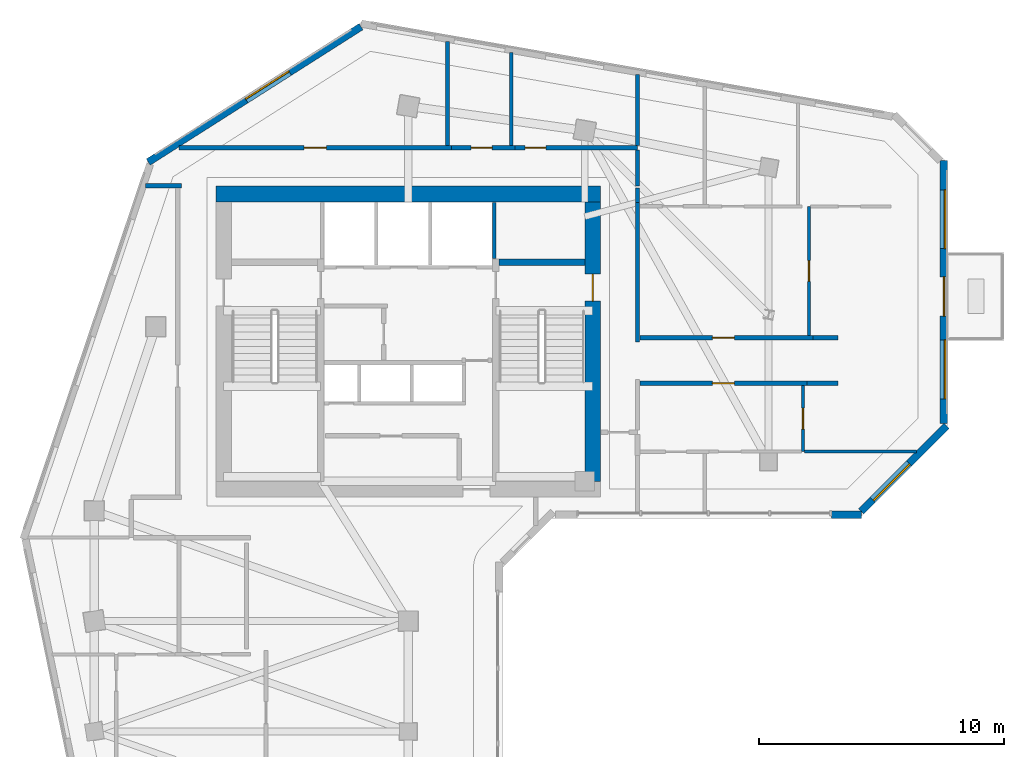
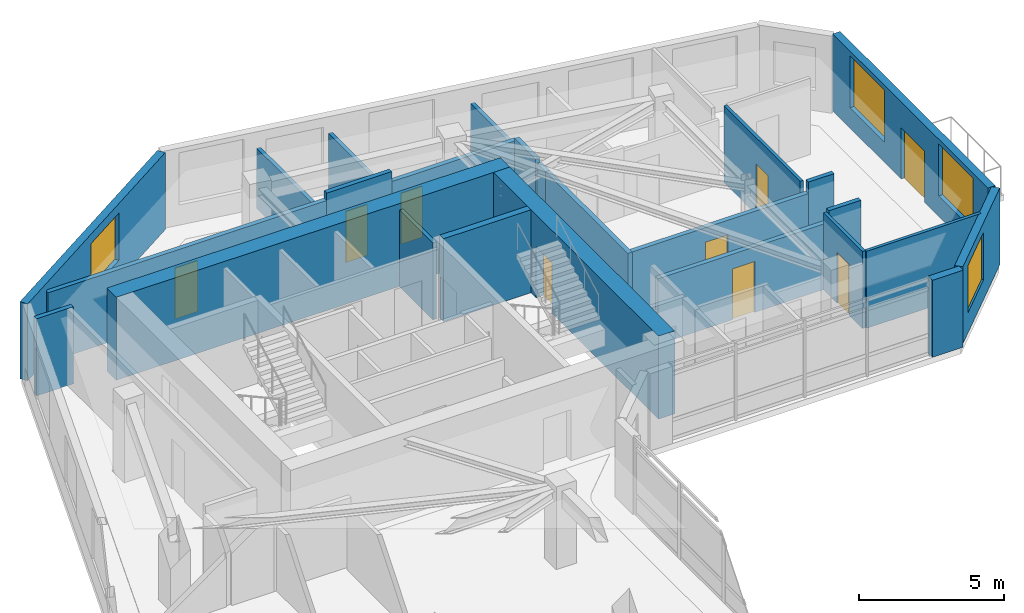
# One storey, part 6 of 10: 25 walls, 9 doors, 4 windows, 13 openings.
"""IFC4 building model written with IfcOpenShell, lengths in metres."""

from ifc_helpers import new_model, si_unit, direction, frame, frame_2d, origin, place, context, subcontext, project, spatial, rectangle, extrude, source, transform, mapped, material, layer, layer_set, type_object, element, fill, save


model = new_model("IFC4")

# Units and contexts
model_context = context("Model", 3, precision=1e-05, world=origin(), true_north=direction((0.0, 1.0)))
body_context = subcontext(model_context, "Body", "Model", "MODEL_VIEW")
ifc_project = project(units=[si_unit("LENGTHUNIT", "METRE"), si_unit("AREAUNIT", "SQUARE_METRE"), si_unit("VOLUMEUNIT", "CUBIC_METRE"), si_unit("PLANEANGLEUNIT", "RADIAN"), si_unit("MASSUNIT", "GRAM", prefix="KILO")], contexts=[model_context])

# Site, building, storey
site_placement = place(None, origin())
site = spatial("IfcSite", under=ifc_project, at=site_placement, CompositionType="ELEMENT")
building_placement = place(site_placement, origin())
building = spatial("IfcBuilding", under=site, at=building_placement, Name="Calvemar Wedge Station Tower", CompositionType="ELEMENT")
storey_placement = place(building_placement, frame((0.0, 0.0, 221.89990234375)))
storey = spatial("IfcBuildingStorey", under=building, at=storey_placement, Name="L56", CompositionType="ELEMENT", Elevation=221.89990234375)

# Walls
ifc_material_1 = material(Name="Concrete C50", Category="concrete")
ifc_layer_1 = layer(ifc_material_1, 0.260009765625)
ifc_layer_set_1 = layer_set([ifc_layer_1], Name="Concrete C50")
wall_type_1 = type_object("IfcWallType", Name="SW-CORE-260", PredefinedType="SHEAR", material=ifc_layer_set_1)
wall_1_placement = place(storey_placement, frame((27.5, 43.1298828125, 0.0), z_axis=(0.0, 0.0, 1.0), x_axis=(1.0, 0.0, 0.0)))
element("IfcWall", 1, at=wall_1_placement, inside=storey, type_object=wall_type_1, Name="Storey L56 Core Shear Wall STC2-N", PredefinedType="SHEAR", context=body_context, shape_type="SweptSolid", body=[
    extrude(rectangle(XDim=3.5, YDim=0.260009765625, at=frame_2d((1.75, 0.0))), origin(), (0.0, 0.0, 1.0), 3.5),
])
ifc_material_2 = material(Name="Concrete C60", Category="concrete")
ifc_layer_2 = layer(ifc_material_2, 0.64990234375)
ifc_layer_set_2 = layer_set([ifc_layer_2], Name="Concrete C60")
wall_type_2 = type_object("IfcWallType", Name="SW-CORE-650", PredefinedType="SHEAR", material=ifc_layer_set_2)
wall_2_placement = place(storey_placement, frame((15.949951171875, 45.925048828125, 0.0), z_axis=(0.0, 0.0, 1.0), x_axis=(1.0, 0.0, 0.0)))
element("IfcWall", 2, at=wall_2_placement, inside=storey, type_object=wall_type_2, Name="Storey L56 Core Shear Wall N", PredefinedType="SHEAR", context=body_context, shape_type="SweptSolid", body=[
    extrude(rectangle(XDim=15.699951171875, YDim=0.64990234375, at=frame_2d((7.85009765625, 0.0))), origin(), (0.0, 0.0, 1.0), 3.5),
])

# Wall, opening, door
wall_3_placement = place(storey_placement, frame((31.324951171875, 34.199951171875, 0.0), z_axis=(0.0, 0.0, 1.0), x_axis=(0.0, 1.0, 0.0)))
wall_3 = element("IfcWall", 3, at=wall_3_placement, inside=storey, type_object=wall_type_2, Name="Storey L56 Core Shear Wall E", PredefinedType="SHEAR", context=body_context, shape_type="SweptSolid", body=[
    extrude(rectangle(XDim=11.400146484375, YDim=0.64990234375, at=frame_2d((5.7001953125, 0.0))), origin(), (0.0, 0.0, 1.0), 3.5),
])
shared_shape_1 = source(origin(), body_context, "Body", "SweptSolid", [
    extrude(rectangle(XDim=1.10009765625, YDim=2.14990234375, at=frame_2d((0.550048828125, 1.074951171875))), frame((0.0, 0.3349609375, 0.0), z_axis=(0.0, -1.0, 0.0), x_axis=(1.0, 0.0, 0.0)), (0.0, 0.0, 1.0), 0.669921875),
])
opening_1_placement = place(wall_3_placement, frame((7.35009765625, 0.0, 0.0)))
opening_1 = element("IfcOpeningElement", 4, at=opening_1_placement, cuts=wall_3, Name="Opening FD-90", PredefinedType="OPENING", context=body_context, shape_type="MappedRepresentation", body=[
    mapped(shared_shape_1, transform((0.0, 0.0, 0.0), scale=1.0)),
])
ifc_material_3 = material(Name="Galvanized fire-rated steel door leaf P-90", Category="steel")
door_type_1 = type_object("IfcDoorType", Name="DR-FD90-1100", OperationType="NOTDEFINED", PredefinedType="DOOR", material=ifc_material_3)
shared_shape_2 = source(origin(), body_context, "Body", "SweptSolid", [
    extrude(rectangle(XDim=1.10009765625, YDim=2.14990234375, at=frame_2d((0.550048828125, 1.074951171875))), frame((0.0, 0.02490234375, 0.0), z_axis=(0.0, -1.0, 0.0), x_axis=(1.0, 0.0, 0.0)), (0.0, 0.0, 1.0), 0.050048828125),
])
door_1_placement = place(opening_1_placement, origin())
door_1 = element("IfcDoor", 5, at=door_1_placement, inside=storey, type_object=door_type_1, Name="L56 East Corridor to Exit Stair ST-C2 Door", OperationType="SINGLE_SWING_RIGHT", OverallHeight=2.14990234375, OverallWidth=1.10009765625, PredefinedType="DOOR", context=body_context, shape_type="MappedRepresentation", body=[
    mapped(shared_shape_2, transform((0.0, 0.0, 0.0), scale=1.0)),
])
fill(opening_1, door_1)

# Wall
ifc_material_4 = material(Name="Double-stud fire-rated corridor partition")
ifc_layer_3 = layer(ifc_material_4, 0.179931640625)
ifc_layer_set_3 = layer_set([ifc_layer_3], Name="Double-stud fire-rated corridor partition")
wall_type_3 = type_object("IfcWallType", Name="W-CORR-180", PredefinedType="PARTITIONING", material=ifc_layer_set_3)
wall_4_placement = place(storey_placement, frame((14.56005859375, 46.25, 0.0), z_axis=(0.0, 0.0, 1.0), x_axis=(-1.0, 0.0, 0.0)))
element("IfcWall", 6, at=wall_4_placement, inside=storey, type_object=wall_type_3, Name="Storey L56 Interior Partition WL-L56-012", PredefinedType="PARTITIONING", context=body_context, shape_type="SweptSolid", body=[
    extrude(rectangle(XDim=1.46875, YDim=0.179931640625, at=frame_2d((0.734375, 0.0))), origin(), (0.0, 0.0, 1.0), 3.25),
])

# Wall, opening, door
wall_5_placement = place(storey_placement, frame((14.45263671875, 47.800048828125, 0.0), z_axis=(0.0, 0.0, 1.0), x_axis=(1.0, 0.0, 0.0)))
wall_5 = element("IfcWall", 7, at=wall_5_placement, inside=storey, type_object=wall_type_3, Name="Storey L56 Interior Partition WL-L56-013", PredefinedType="PARTITIONING", context=body_context, shape_type="SweptSolid", body=[
    extrude(rectangle(XDim=11.107421875, YDim=0.179931640625, at=frame_2d((5.5537109375, 0.0))), origin(), (0.0, 0.0, 1.0), 2.93408203125),
])
shared_shape_3 = source(origin(), body_context, "Body", "SweptSolid", [
    extrude(rectangle(XDim=0.89990234375, YDim=2.14990234375, at=frame_2d((0.449951171875, 1.074951171875))), frame((0.0, 0.10009765625, 0.0), z_axis=(0.0, -1.0, 0.0), x_axis=(1.0, 0.0, 0.0)), (0.0, 0.0, 1.0), 0.199951171875),
])
opening_2_placement = place(wall_5_placement, frame((5.103759765625, 0.0, 0.0)))
opening_2 = element("IfcOpeningElement", 8, at=opening_2_placement, cuts=wall_5, Name="Opening D-01", PredefinedType="OPENING", context=body_context, shape_type="MappedRepresentation", body=[
    mapped(shared_shape_3, transform((0.0, 0.0, 0.0), scale=1.0)),
])
ifc_material_5 = material(Name="Architectural hardwood acoustic swing door", Category="wood")
door_type_2 = type_object("IfcDoorType", Name="DR-INT-900", OperationType="NOTDEFINED", PredefinedType="DOOR", material=ifc_material_5)
shared_shape_4 = source(origin(), body_context, "Body", "SweptSolid", [
    extrude(rectangle(XDim=0.89990234375, YDim=2.14990234375, at=frame_2d((0.449951171875, 1.074951171875))), frame((0.0, 0.02490234375, 0.0), z_axis=(0.0, -1.0, 0.0), x_axis=(1.0, 0.0, 0.0)), (0.0, 0.0, 1.0), 0.050048828125),
])
door_2_placement = place(opening_2_placement, origin())
door_2 = element("IfcDoor", 9, at=door_2_placement, inside=storey, type_object=door_type_2, Name="L56 Library Lounge Door", OperationType="SINGLE_SWING_RIGHT", OverallHeight=2.14990234375, OverallWidth=0.89990234375, PredefinedType="DOOR", context=body_context, shape_type="MappedRepresentation", body=[
    mapped(shared_shape_4, transform((0.0, 0.0, 0.0), scale=1.0)),
])
fill(opening_2, door_2)

wall_6_placement = place(storey_placement, frame((25.56201171875, 47.800048828125, 0.0), z_axis=(0.0, 0.0, 1.0), x_axis=(1.0, 0.0, 0.0)))
wall_6 = element("IfcWall", 10, at=wall_6_placement, inside=storey, type_object=wall_type_3, Name="Storey L56 Interior Partition WL-L56-014", PredefinedType="PARTITIONING", context=body_context, shape_type="SweptSolid", body=[
    extrude(rectangle(XDim=2.597900390625, YDim=0.179931640625, at=frame_2d((1.298828125, 0.0))), origin(), (0.0, 0.0, 1.0), 3.25),
])
shared_shape_5 = source(origin(), body_context, "Body", "SweptSolid", [
    extrude(rectangle(XDim=0.85009765625, YDim=2.14990234375, at=frame_2d((0.425048828125, 1.074951171875))), frame((0.0, 0.10009765625, 0.0), z_axis=(0.0, -1.0, 0.0), x_axis=(1.0, 0.0, 0.0)), (0.0, 0.0, 1.0), 0.199951171875),
])
opening_3_placement = place(wall_6_placement, frame((0.80810546875, 0.0, 0.0)))
opening_3 = element("IfcOpeningElement", 11, at=opening_3_placement, cuts=wall_6, Name="Opening D-02", PredefinedType="OPENING", context=body_context, shape_type="MappedRepresentation", body=[
    mapped(shared_shape_5, transform((0.0, 0.0, 0.0), scale=1.0)),
])
ifc_material_6 = material(Name="Moisture-sealed bathroom hardwood swing door", Category="wood")
door_type_3 = type_object("IfcDoorType", Name="DR-WET-850", OperationType="NOTDEFINED", PredefinedType="DOOR", material=ifc_material_6)
shared_shape_6 = source(origin(), body_context, "Body", "SweptSolid", [
    extrude(rectangle(XDim=0.85009765625, YDim=2.14990234375, at=frame_2d((0.425048828125, 1.074951171875))), frame((0.0, 0.02490234375, 0.0), z_axis=(0.0, -1.0, 0.0), x_axis=(1.0, 0.0, 0.0)), (0.0, 0.0, 1.0), 0.050048828125),
])
door_3_placement = place(opening_3_placement, origin())
door_3 = element("IfcDoor", 12, at=door_3_placement, inside=storey, type_object=door_type_3, Name="L56 Accessible WC Door", OperationType="SINGLE_SWING_LEFT", OverallHeight=2.14990234375, OverallWidth=0.85009765625, PredefinedType="DOOR", context=body_context, shape_type="MappedRepresentation", body=[
    mapped(shared_shape_6, transform((0.0, 0.0, 0.0), scale=1.0)),
])
fill(opening_3, door_3)

wall_7_placement = place(storey_placement, frame((28.162109375, 47.800048828125, 0.0), z_axis=(0.0, 0.0, 1.0), x_axis=(1.0, 0.0, 0.0)))
wall_7 = element("IfcWall", 13, at=wall_7_placement, inside=storey, type_object=wall_type_3, Name="Storey L56 Interior Partition WL-L56-015", PredefinedType="PARTITIONING", context=body_context, shape_type="SweptSolid", body=[
    extrude(rectangle(XDim=4.98779296875, YDim=0.179931640625, at=frame_2d((2.493896484375, 0.0))), origin(), (0.0, 0.0, 1.0), 2.822021484375),
])
opening_4_placement = place(wall_7_placement, frame((0.4033203125, 0.0, 0.0)))
opening_4 = element("IfcOpeningElement", 14, at=opening_4_placement, cuts=wall_7, Name="Opening D-02", PredefinedType="OPENING", context=body_context, shape_type="MappedRepresentation", body=[
    mapped(shared_shape_5, transform((0.0, 0.0, 0.0), scale=1.0)),
])
door_4_placement = place(opening_4_placement, origin())
door_4 = element("IfcDoor", 15, at=door_4_placement, inside=storey, type_object=door_type_3, Name="L56 Storage Room Door", OperationType="SINGLE_SWING_RIGHT", OverallHeight=2.14990234375, OverallWidth=0.85009765625, PredefinedType="DOOR", context=body_context, shape_type="MappedRepresentation", body=[
    mapped(shared_shape_6, transform((0.0, 0.0, 0.0), scale=1.0)),
])
fill(opening_4, door_4)

# Walls
wall_8_placement = place(storey_placement, frame((33.14990234375, 47.7060546875, 0.0), z_axis=(0.0, 0.0, 1.0), x_axis=(0.0, -1.0, 0.0)))
element("IfcWall", 16, at=wall_8_placement, inside=storey, type_object=wall_type_3, Name="Storey L56 Interior Partition WL-L56-016", PredefinedType="PARTITIONING", context=body_context, shape_type="SweptSolid", body=[
    extrude(rectangle(XDim=1.4560546875, YDim=0.179931640625, at=frame_2d((0.72802734375, 0.0))), origin(), (0.0, 0.0, 1.0), 2.93408203125),
])
wall_9_placement = place(storey_placement, frame((33.14990234375, 45.576904296875, 0.0), z_axis=(0.0, 0.0, 1.0), x_axis=(0.0, -1.0, 0.0)))
element("IfcWall", 17, at=wall_9_placement, inside=storey, type_object=wall_type_3, Name="Storey L56 Interior Partition WL-L56-018", PredefinedType="PARTITIONING", context=body_context, shape_type="SweptSolid", body=[
    extrude(rectangle(XDim=5.68701171875, YDim=0.179931640625, at=frame_2d((2.843505859375, 0.0))), origin(), (0.0, 0.0, 1.0), 2.822021484375),
])
wall_10_placement = place(storey_placement, frame((33.14990234375, 46.156005859375, 0.0), z_axis=(0.0, 0.0, 1.0), x_axis=(0.0, -1.0, 0.0)))
element("IfcWall", 18, at=wall_10_placement, inside=storey, type_object=wall_type_3, Name="Storey L56 Interior Partition WL-L56-019", PredefinedType="PARTITIONING", context=body_context, shape_type="SweptSolid", body=[
    extrude(rectangle(XDim=0.576904296875, YDim=0.179931640625, at=frame_2d((0.28857421875, 0.0))), origin(), (0.0, 0.0, 1.0), 2.822021484375),
])

# Wall, opening, door
wall_11_placement = place(storey_placement, frame((33.243896484375, 40.050048828125, 0.0), z_axis=(0.0, 0.0, 1.0), x_axis=(1.0, 0.0, 0.0)))
wall_11 = element("IfcWall", 19, at=wall_11_placement, inside=storey, type_object=wall_type_3, Name="Storey L56 Interior Partition WL-L56-025", PredefinedType="PARTITIONING", context=body_context, shape_type="SweptSolid", body=[
    extrude(rectangle(XDim=7.06201171875, YDim=0.179931640625, at=frame_2d((3.531005859375, 0.0))), origin(), (0.0, 0.0, 1.0), 2.76611328125),
])
opening_5_placement = place(wall_11_placement, frame((2.959228515625, 0.0, 0.0)))
opening_5 = element("IfcOpeningElement", 20, at=opening_5_placement, cuts=wall_11, Name="Opening FD-60", PredefinedType="OPENING", context=body_context, shape_type="MappedRepresentation", body=[
    mapped(shared_shape_3, transform((0.0, 0.0, 0.0), scale=1.0)),
])
ifc_material_7 = material(Name="Fire-rated acoustic timber-core entrance door EI 60", Category="wood")
door_type_4 = type_object("IfcDoorType", Name="DR-FD60-900", OperationType="NOTDEFINED", PredefinedType="DOOR", material=ifc_material_7)
shared_shape_7 = source(origin(), body_context, "Body", "SweptSolid", [
    extrude(rectangle(XDim=0.89990234375, YDim=2.14990234375, at=frame_2d((0.449951171875, 1.074951171875))), frame((0.0, 0.02490234375, 0.0), z_axis=(0.0, -1.0, 0.0), x_axis=(1.0, 0.0, 0.0)), (0.0, 0.0, 1.0), 0.050048828125),
])
door_5_placement = place(opening_5_placement, origin())
door_5 = element("IfcDoor", 21, at=door_5_placement, inside=storey, type_object=door_type_4, Name="L56 Living Dining Door", OperationType="SINGLE_SWING_RIGHT", OverallHeight=2.14990234375, OverallWidth=0.89990234375, PredefinedType="DOOR", context=body_context, shape_type="MappedRepresentation", body=[
    mapped(shared_shape_7, transform((0.0, 0.0, 0.0), scale=1.0)),
])
fill(opening_5, door_5)

# Wall
wall_12_placement = place(storey_placement, frame((40.30810546875, 40.050048828125, 0.0), z_axis=(0.0, 0.0, 1.0), x_axis=(1.0, 0.0, 0.0)))
element("IfcWall", 22, at=wall_12_placement, inside=storey, type_object=wall_type_3, Name="Storey L56 Interior Partition WL-L56-026", PredefinedType="PARTITIONING", context=body_context, shape_type="SweptSolid", body=[
    extrude(rectangle(XDim=1.02685546875, YDim=0.179931640625, at=frame_2d((0.513427734375, 0.0))), origin(), (0.0, 0.0, 1.0), 3.25),
])

# Wall, opening, door
wall_13_placement = place(storey_placement, frame((40.06005859375, 38.199951171875, 0.0), z_axis=(0.0, 0.0, 1.0), x_axis=(-1.0, 0.0, 0.0)))
wall_13 = element("IfcWall", 23, at=wall_13_placement, inside=storey, type_object=wall_type_3, Name="Storey L56 Interior Partition WL-L56-027", PredefinedType="PARTITIONING", context=body_context, shape_type="SweptSolid", body=[
    extrude(rectangle(XDim=6.816162109375, YDim=0.179931640625, at=frame_2d((3.408203125, 0.0))), origin(), (0.0, 0.0, 1.0), 2.76611328125),
])
opening_6_placement = place(wall_13_placement, frame((2.9580078125, 0.0, 0.0)))
opening_6 = element("IfcOpeningElement", 24, at=opening_6_placement, cuts=wall_13, Name="Opening FD-60", PredefinedType="OPENING", context=body_context, shape_type="MappedRepresentation", body=[
    mapped(shared_shape_3, transform((0.0, 0.0, 0.0), scale=1.0)),
])
door_6_placement = place(opening_6_placement, origin())
door_6 = element("IfcDoor", 25, at=door_6_placement, inside=storey, type_object=door_type_4, Name="L56 Living Dining Door", OperationType="SINGLE_SWING_LEFT", OverallHeight=2.14990234375, OverallWidth=0.89990234375, PredefinedType="DOOR", context=body_context, shape_type="MappedRepresentation", body=[
    mapped(shared_shape_7, transform((0.0, 0.0, 0.0), scale=1.0)),
])
fill(opening_6, door_6)

# Walls
wall_14_placement = place(storey_placement, frame((41.3349609375, 38.199951171875, 0.0), z_axis=(0.0, 0.0, 1.0), x_axis=(-1.0, 0.0, 0.0)))
element("IfcWall", 26, at=wall_14_placement, inside=storey, type_object=wall_type_3, Name="Storey L56 Interior Partition WL-L56-028", PredefinedType="PARTITIONING", context=body_context, shape_type="SweptSolid", body=[
    extrude(rectangle(XDim=1.27294921875, YDim=0.179931640625, at=frame_2d((0.636474609375, 0.0))), origin(), (0.0, 0.0, 1.0), 3.25),
])
ifc_material_8 = material(Name="Precast concrete C45", Category="concrete")
ifc_layer_4 = layer(ifc_material_8, 0.300048828125)
ifc_layer_set_4 = layer_set([ifc_layer_4], Name="Precast concrete C45")
wall_type_4 = type_object("IfcWallType", Name="W-EXT-GFRC-300", PredefinedType="SOLIDWALL", material=ifc_layer_set_4)
wall_15_placement = place(storey_placement, frame((41.060302734375, 32.842041015625, 0.0), z_axis=(0.0, 0.0, 1.0), x_axis=(1.0, 0.0, 0.0)))
element("IfcWall", 27, at=wall_15_placement, inside=storey, type_object=wall_type_4, Name="Storey L56 Bronze GFRC Corner Pier 6B", PredefinedType="SOLIDWALL", context=body_context, shape_type="SweptSolid", body=[
    extrude(rectangle(XDim=1.2275390625, YDim=0.300048828125, at=frame_2d((0.61376953125, 0.0))), origin(), (0.0, 0.0, 1.0), 3.25),
])

# Wall, opening, window
wall_16_placement = place(storey_placement, frame((42.27587890625, 32.97998046875, 0.0), z_axis=(0.0, 0.0, 1.0), x_axis=(0.707106781187, 0.707106781187, 0.0)))
wall_16 = element("IfcWall", 28, at=wall_16_placement, inside=storey, type_object=wall_type_4, Name="Storey L56 Bronze GFRC Exterior Wall 7", PredefinedType="SOLIDWALL", context=body_context, shape_type="SweptSolid", body=[
    extrude(rectangle(XDim=4.921875, YDim=0.300048828125, at=frame_2d((2.4609375, 0.0))), origin(), (0.0, 0.0, 1.0), 3.25),
])
shared_shape_8 = source(origin(), body_context, "Body", "SweptSolid", [
    extrude(rectangle(XDim=2.10009765625, YDim=2.0, at=frame_2d((1.050048828125, 1.0))), frame((0.0, 0.16015625, 0.0), z_axis=(0.0, -1.0, 0.0), x_axis=(1.0, 0.0, 0.0)), (0.0, 0.0, 1.0), 0.320068359375),
])
opening_7_placement = place(wall_16_placement, frame((0.658935546875, 0.0, 0.85009765625)))
opening_7 = element("IfcOpeningElement", 29, at=opening_7_placement, cuts=wall_16, Name="Opening W4", PredefinedType="OPENING", context=body_context, shape_type="MappedRepresentation", body=[
    mapped(shared_shape_8, transform((0.0, 0.0, 0.0), scale=1.0)),
])
ifc_material_9 = material(Name="Low-E laminated insulated glass", Category="glass")
window_type_1 = type_object("IfcWindowType", Name="WIN-EXT-4", PartitioningType="SINGLE_PANEL", PredefinedType="WINDOW", material=ifc_material_9)
shared_shape_9 = source(origin(), body_context, "Body", "SweptSolid", [
    extrude(rectangle(XDim=2.10009765625, YDim=2.0, at=frame_2d((1.050048828125, 1.0))), frame((0.0, -0.014892578125, 0.0), z_axis=(0.0, -1.0, 0.0), x_axis=(1.0, 0.0, 0.0)), (0.0, 0.0, 1.0), 0.06005859375),
])
window_1_placement = place(opening_7_placement, origin())
window_1 = element("IfcWindow", 30, at=window_1_placement, inside=storey, type_object=window_type_1, Name="Storey L56 Recessed Window 7.1", OverallHeight=2.0, OverallWidth=2.10009765625, PartitioningType="SINGLE_PANEL", PredefinedType="WINDOW", context=body_context, shape_type="MappedRepresentation", body=[
    mapped(shared_shape_9, transform((0.0, 0.0, 0.0), scale=1.0)),
])
fill(opening_7, window_1)

# Wall, openings, windows, door
wall_17_placement = place(storey_placement, frame((45.64990234375, 36.54931640625, 0.0), z_axis=(0.0, 0.0, 1.0), x_axis=(0.0, 1.0, 0.0)))
wall_17 = element("IfcWall", 31, at=wall_17_placement, inside=storey, type_object=wall_type_4, Name="Storey L56 Bronze GFRC Exterior Wall 8", PredefinedType="SOLIDWALL", context=body_context, shape_type="SweptSolid", body=[
    extrude(rectangle(XDim=10.73046875, YDim=0.300048828125, at=frame_2d((5.365234375, 0.0))), origin(), (0.0, 0.0, 1.0), 3.25),
])
shared_shape_10 = source(origin(), body_context, "Body", "SweptSolid", [
    extrude(rectangle(XDim=1.60009765625, YDim=2.14990234375, at=frame_2d((0.800048828125, 1.074951171875))), frame((0.0, 0.16015625, 0.0), z_axis=(0.0, -1.0, 0.0), x_axis=(1.0, 0.0, 0.0)), (0.0, 0.0, 1.0), 0.320068359375),
])
opening_8_placement = place(wall_17_placement, frame((4.39306640625, 0.0, 0.0)))
opening_8 = element("IfcOpeningElement", 32, at=opening_8_placement, cuts=wall_17, Name="Opening DT1", PredefinedType="OPENING", context=body_context, shape_type="MappedRepresentation", body=[
    mapped(shared_shape_10, transform((0.0, 0.0, 0.0), scale=1.0)),
])
shared_shape_11 = source(origin(), body_context, "Body", "SweptSolid", [
    extrude(rectangle(XDim=2.39990234375, YDim=2.199951171875, at=frame_2d((1.199951171875, 1.10009765625))), frame((0.0, 0.16015625, 0.0), z_axis=(0.0, -1.0, 0.0), x_axis=(1.0, 0.0, 0.0)), (0.0, 0.0, 1.0), 0.320068359375),
])
opening_9_placement = place(wall_17_placement, frame((1.01611328125, 0.0, 0.85009765625)))
opening_9 = element("IfcOpeningElement", 33, at=opening_9_placement, cuts=wall_17, Name="Opening W1", PredefinedType="OPENING", context=body_context, shape_type="MappedRepresentation", body=[
    mapped(shared_shape_11, transform((0.0, 0.0, 0.0), scale=1.0)),
])
opening_10_placement = place(wall_17_placement, frame((7.14208984375, 0.0, 0.85009765625)))
opening_10 = element("IfcOpeningElement", 34, at=opening_10_placement, cuts=wall_17, Name="Opening W1", PredefinedType="OPENING", context=body_context, shape_type="MappedRepresentation", body=[
    mapped(shared_shape_11, transform((0.0, 0.0, 0.0), scale=1.0)),
])
window_type_2 = type_object("IfcWindowType", Name="WIN-EXT-1", PartitioningType="SINGLE_PANEL", PredefinedType="WINDOW", material=ifc_material_9)
shared_shape_12 = source(origin(), body_context, "Body", "SweptSolid", [
    extrude(rectangle(XDim=2.39990234375, YDim=2.199951171875, at=frame_2d((1.199951171875, 1.10009765625))), frame((0.0, -0.014892578125, 0.0), z_axis=(0.0, -1.0, 0.0), x_axis=(1.0, 0.0, 0.0)), (0.0, 0.0, 1.0), 0.06005859375),
])
window_2_placement = place(opening_9_placement, origin())
window_2 = element("IfcWindow", 35, at=window_2_placement, inside=storey, type_object=window_type_2, Name="Storey L56 Recessed Window 8.1", OverallHeight=2.199951171875, OverallWidth=2.39990234375, PartitioningType="SINGLE_PANEL", PredefinedType="WINDOW", context=body_context, shape_type="MappedRepresentation", body=[
    mapped(shared_shape_12, transform((0.0, 0.0, 0.0), scale=1.0)),
])
fill(opening_9, window_2)
window_3_placement = place(opening_10_placement, origin())
window_3 = element("IfcWindow", 36, at=window_3_placement, inside=storey, type_object=window_type_2, Name="Storey L56 Recessed Window 8.2", OverallHeight=2.199951171875, OverallWidth=2.39990234375, PartitioningType="SINGLE_PANEL", PredefinedType="WINDOW", context=body_context, shape_type="MappedRepresentation", body=[
    mapped(shared_shape_12, transform((0.0, 0.0, 0.0), scale=1.0)),
])
fill(opening_10, window_3)
ifc_material_10 = material(Name="Anodised aluminium 6063-T6", Category="aluminium")
door_type_5 = type_object("IfcDoorType", Name="DR-TERR-1600", OperationType="DOUBLE_DOOR_SLIDING", PredefinedType="DOOR", material=ifc_material_10)
shared_shape_13 = source(origin(), body_context, "Body", "SweptSolid", [
    extrude(rectangle(XDim=1.60009765625, YDim=2.14990234375, at=frame_2d((0.800048828125, 1.074951171875))), frame((0.0, 0.02490234375, 0.0), z_axis=(0.0, -1.0, 0.0), x_axis=(1.0, 0.0, 0.0)), (0.0, 0.0, 1.0), 0.050048828125),
])
door_7_placement = place(opening_8_placement, origin())
door_7 = element("IfcDoor", 37, at=door_7_placement, inside=storey, type_object=door_type_5, Name="Storey L56 Spiral Terrace Door", OperationType="DOUBLE_DOOR_SLIDING", OverallHeight=2.14990234375, OverallWidth=1.60009765625, PredefinedType="DOOR", context=body_context, shape_type="MappedRepresentation", body=[
    mapped(shared_shape_13, transform((0.0, 0.0, 0.0), scale=1.0)),
])
fill(opening_8, door_7)

# Wall, opening, window
wall_18_placement = place(storey_placement, frame((21.873779296875, 52.741943359375, 0.0), z_axis=(0.0, 0.0, 1.0), x_axis=(-0.84365659959, -0.536883173482, 0.0)))
wall_18 = element("IfcWall", 38, at=wall_18_placement, inside=storey, type_object=wall_type_4, Name="Storey L56 Bronze GFRC Exterior Wall 11", PredefinedType="SOLIDWALL", context=body_context, shape_type="SweptSolid", body=[
    extrude(rectangle(XDim=10.282958984375, YDim=0.300048828125, at=frame_2d((5.1416015625, 0.0))), origin(), (0.0, 0.0, 1.0), 3.25),
])
opening_11_placement = place(wall_18_placement, frame((3.45703125, 0.0, 0.85009765625)))
opening_11 = element("IfcOpeningElement", 39, at=opening_11_placement, cuts=wall_18, Name="Opening W4", PredefinedType="OPENING", context=body_context, shape_type="MappedRepresentation", body=[
    mapped(shared_shape_8, transform((0.0, 0.0, 0.0), scale=1.0)),
])
window_4_placement = place(opening_11_placement, origin())
window_4 = element("IfcWindow", 40, at=window_4_placement, inside=storey, type_object=window_type_1, Name="Storey L56 Recessed Window 11.1", OverallHeight=2.0, OverallWidth=2.10009765625, PartitioningType="SINGLE_PANEL", PredefinedType="WINDOW", context=body_context, shape_type="MappedRepresentation", body=[
    mapped(shared_shape_9, transform((0.0, 0.0, 0.0), scale=1.0)),
])
fill(opening_11, window_4)

# Wall
ifc_material_11 = material(Name="Reinforced concrete blockwork lift shaft wall", Category="masonry")
ifc_layer_5 = layer(ifc_material_11, 0.139892578125)
ifc_layer_set_5 = layer_set([ifc_layer_5], Name="Reinforced concrete blockwork lift shaft wall")
wall_type_5 = type_object("IfcWallType", Name="W-LIFT-160", PredefinedType="SOLIDWALL", material=ifc_layer_set_5)
wall_19_placement = place(storey_placement, frame((27.31005859375, 43.280029296875, 0.0), z_axis=(0.0, 0.0, 1.0), x_axis=(0.0, 1.0, 0.0)))
element("IfcWall", 41, at=wall_19_placement, inside=storey, type_object=wall_type_5, Name="Storey L56 Firefighting Lift Shaft Enclosure Wall E", PredefinedType="SOLIDWALL", context=body_context, shape_type="SweptSolid", body=[
    extrude(rectangle(XDim=2.300048828125, YDim=0.139892578125, at=frame_2d((1.14990234375, 0.0))), origin(), (0.0, 0.0, 1.0), 3.25),
])

# Wall, opening, door
ifc_material_12 = material(Name="Insulated acoustic gypsum stud partition")
ifc_layer_6 = layer(ifc_material_12, 0.125)
ifc_layer_set_6 = layer_set([ifc_layer_6], Name="Insulated acoustic gypsum stud partition")
wall_type_6 = type_object("IfcWallType", Name="W-PART-125", PredefinedType="PARTITIONING", material=ifc_layer_set_6)
wall_20_placement = place(storey_placement, frame((40.14599609375, 45.4169921875, 0.0), z_axis=(0.0, 0.0, 1.0), x_axis=(0.0, -1.0, 0.0)))
wall_20 = element("IfcWall", 42, at=wall_20_placement, inside=storey, type_object=wall_type_6, Name="Storey L56 Interior Partition WL-L56-031", PredefinedType="PARTITIONING", context=body_context, shape_type="SweptSolid", body=[
    extrude(rectangle(XDim=5.27294921875, YDim=0.125, at=frame_2d((2.636474609375, 0.0))), origin(), (0.0, 0.0, 1.0), 3.25),
])
shared_shape_14 = source(origin(), body_context, "Body", "SweptSolid", [
    extrude(rectangle(XDim=0.85009765625, YDim=2.14990234375, at=frame_2d((0.425048828125, 1.074951171875))), frame((0.0, 0.072509765625, 0.0), z_axis=(0.0, -1.0, 0.0), x_axis=(1.0, 0.0, 0.0)), (0.0, 0.0, 1.0), 0.14501953125),
])
opening_12_placement = place(wall_20_placement, frame((2.21142578125, 0.0, 0.0)))
opening_12 = element("IfcOpeningElement", 43, at=opening_12_placement, cuts=wall_20, Name="Opening D-02", PredefinedType="OPENING", context=body_context, shape_type="MappedRepresentation", body=[
    mapped(shared_shape_14, transform((0.0, 0.0, 0.0), scale=1.0)),
])
door_8_placement = place(opening_12_placement, origin())
door_8 = element("IfcDoor", 44, at=door_8_placement, inside=storey, type_object=door_type_3, Name="L56 Kitchen Door", OperationType="SINGLE_SWING_LEFT", OverallHeight=2.14990234375, OverallWidth=0.85009765625, PredefinedType="DOOR", context=body_context, shape_type="MappedRepresentation", body=[
    mapped(shared_shape_6, transform((0.0, 0.0, 0.0), scale=1.0)),
])
fill(opening_12, door_8)

wall_21_placement = place(storey_placement, frame((39.89990234375, 38.10595703125, 0.0), z_axis=(0.0, 0.0, 1.0), x_axis=(0.0, -1.0, 0.0)))
wall_21 = element("IfcWall", 45, at=wall_21_placement, inside=storey, type_object=wall_type_6, Name="Storey L56 Interior Partition WL-L56-037", PredefinedType="PARTITIONING", context=body_context, shape_type="SweptSolid", body=[
    extrude(rectangle(XDim=2.698974609375, YDim=0.125, at=frame_2d((1.349609375, 0.0))), origin(), (0.0, 0.0, 1.0), 3.25),
])
opening_13_placement = place(wall_21_placement, frame((0.924560546875, 0.0, 0.0)))
opening_13 = element("IfcOpeningElement", 46, at=opening_13_placement, cuts=wall_21, Name="Opening D-02", PredefinedType="OPENING", context=body_context, shape_type="MappedRepresentation", body=[
    mapped(shared_shape_14, transform((0.0, 0.0, 0.0), scale=1.0)),
])
door_9_placement = place(opening_13_placement, origin())
door_9 = element("IfcDoor", 47, at=door_9_placement, inside=storey, type_object=door_type_3, Name="L56 Kitchen Door", OperationType="SINGLE_SWING_RIGHT", OverallHeight=2.14990234375, OverallWidth=0.85009765625, PredefinedType="DOOR", context=body_context, shape_type="MappedRepresentation", body=[
    mapped(shared_shape_6, transform((0.0, 0.0, 0.0), scale=1.0)),
])
fill(opening_13, door_9)

# Walls
wall_22_placement = place(storey_placement, frame((44.540283203125, 35.406982421875, 0.0), z_axis=(0.0, 0.0, 1.0), x_axis=(-1.0, 0.0, 0.0)))
element("IfcWall", 48, at=wall_22_placement, inside=storey, type_object=wall_type_6, Name="Storey L56 Interior Partition WL-L56-040", PredefinedType="PARTITIONING", context=body_context, shape_type="SweptSolid", body=[
    extrude(rectangle(XDim=4.57373046875, YDim=0.125, at=frame_2d((2.286865234375, 0.0))), origin(), (0.0, 0.0, 1.0), 3.25),
])
ifc_material_13 = material(Name="Moisture-resistant acoustic bathroom partition")
ifc_layer_7 = layer(ifc_material_13, 0.14990234375)
ifc_layer_set_7 = layer_set([ifc_layer_7], Name="Moisture-resistant acoustic bathroom partition")
wall_type_7 = type_object("IfcWallType", Name="W-WET-150", PredefinedType="PARTITIONING", material=ifc_layer_set_7)
wall_23_placement = place(storey_placement, frame((25.39990234375, 52.13720703125, 0.0), z_axis=(0.0, 0.0, 1.0), x_axis=(0.0, -1.0, 0.0)))
element("IfcWall", 49, at=wall_23_placement, inside=storey, type_object=wall_type_7, Name="Storey L56 Interior Partition WL-L56-022", PredefinedType="PARTITIONING", context=body_context, shape_type="SweptSolid", body=[
    extrude(rectangle(XDim=4.2431640625, YDim=0.14990234375, at=frame_2d((2.12158203125, 0.0))), origin(), (0.0, 0.0, 1.0), 2.5419921875),
])
wall_24_placement = place(storey_placement, frame((28.0, 51.682861328125, 0.0), z_axis=(0.0, 0.0, 1.0), x_axis=(0.0, -1.0, 0.0)))
element("IfcWall", 50, at=wall_24_placement, inside=storey, type_object=wall_type_7, Name="Storey L56 Interior Partition WL-L56-023", PredefinedType="PARTITIONING", context=body_context, shape_type="SweptSolid", body=[
    extrude(rectangle(XDim=3.788818359375, YDim=0.14990234375, at=frame_2d((1.89453125, 0.0))), origin(), (0.0, 0.0, 1.0), 2.5419921875),
])
wall_25_placement = place(storey_placement, frame((33.14990234375, 50.783203125, 0.0), z_axis=(0.0, 0.0, 1.0), x_axis=(0.0, -1.0, 0.0)))
element("IfcWall", 51, at=wall_25_placement, inside=storey, type_object=wall_type_7, Name="Storey L56 Interior Partition WL-L56-024", PredefinedType="PARTITIONING", context=body_context, shape_type="SweptSolid", body=[
    extrude(rectangle(XDim=2.88916015625, YDim=0.14990234375, at=frame_2d((1.444580078125, 0.0))), origin(), (0.0, 0.0, 1.0), 2.5419921875),
])

save(model, "model.ifc")
